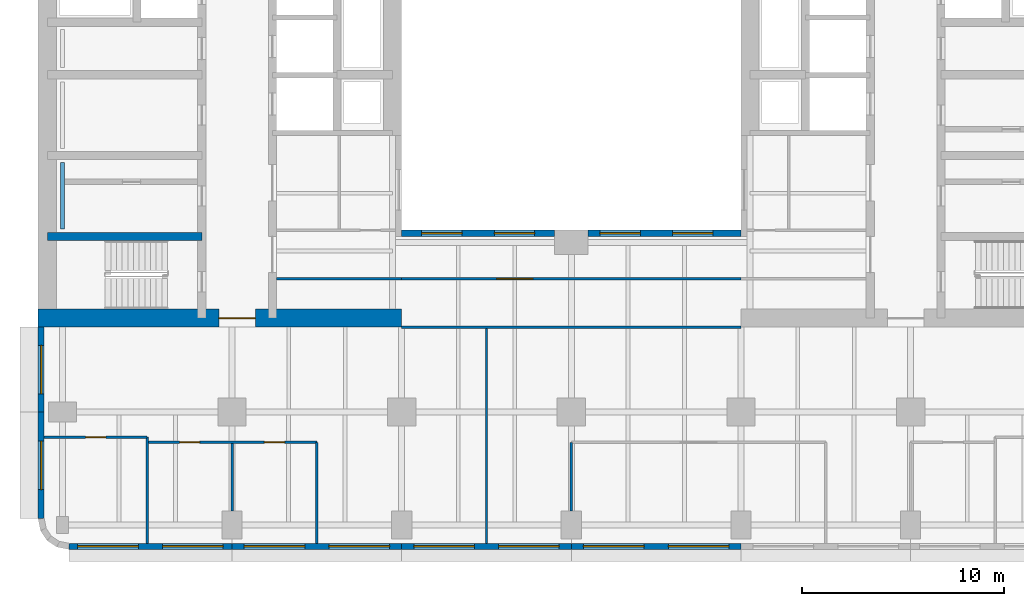
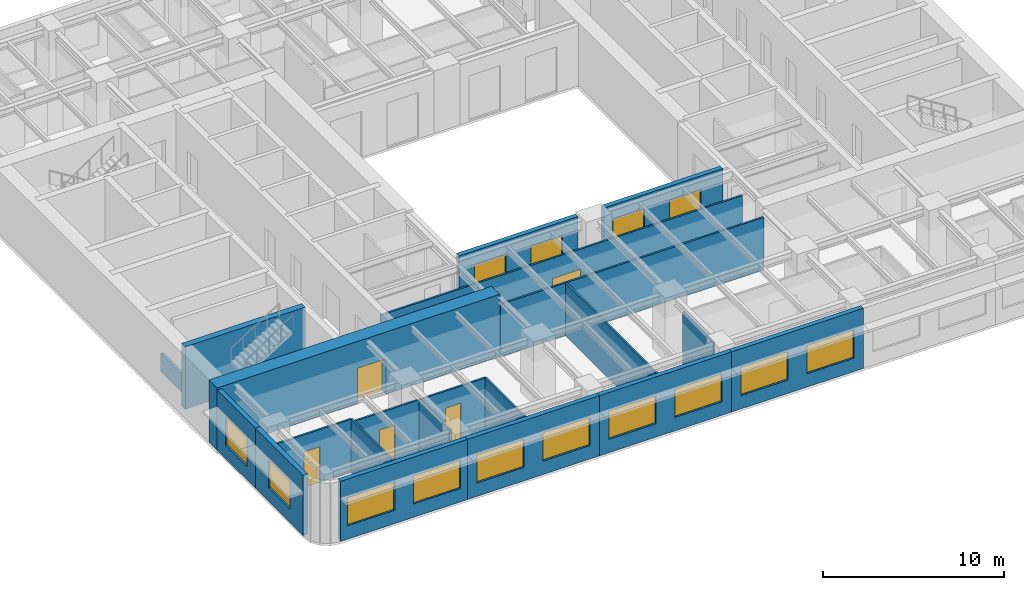
# One storey, part 3 of 11: 21 walls, 14 windows, 5 doors, 19 openings.
"""IFC4 building model written with IfcOpenShell, lengths in metres."""

from ifc_helpers import new_model, si_unit, direction, frame, frame_2d, origin, place, context, subcontext, project, spatial, rectangle, extrude, material, layer, layer_set, type_object, element, fill, save


model = new_model("IFC4")

# Units and contexts
model_context = context("Model", 3, precision=1e-05, world=origin(), true_north=direction((0.0, 1.0)))
body_context = subcontext(model_context, "Body", "Model", "MODEL_VIEW")
ifc_project = project(units=[si_unit("LENGTHUNIT", "METRE"), si_unit("AREAUNIT", "SQUARE_METRE"), si_unit("VOLUMEUNIT", "CUBIC_METRE"), si_unit("PLANEANGLEUNIT", "RADIAN"), si_unit("MASSUNIT", "GRAM", prefix="KILO")], contexts=[model_context])

# Site, building, storey
site_placement = place(None, origin())
site = spatial("IfcSite", under=ifc_project, at=site_placement, CompositionType="ELEMENT")
building_placement = place(site_placement, origin())
building = spatial("IfcBuilding", under=site, at=building_placement, Name="Claustro Exchange Tower", CompositionType="ELEMENT")
storey_placement = place(building_placement, frame((0.0, 0.0, 142.800048828125)))
storey = spatial("IfcBuildingStorey", under=building, at=storey_placement, Name="L32", CompositionType="ELEMENT", Elevation=142.800048828125)

# Wall, opening, door
ifc_material_1 = material(Name="Laminated glass in aluminium frame", Category="aluminium")
ifc_layer_1 = layer(ifc_material_1, 0.1201171875)
ifc_layer_set_1 = layer_set([ifc_layer_1], Name="Laminated glass in aluminium frame")
wall_type_1 = type_object("IfcWallType", Name="P2 120 glazed partition", PredefinedType="PARTITIONING", material=ifc_layer_set_1)
wall_1_placement = place(storey_placement, frame((-0.902099609375, 7.14990234375, 0.0), z_axis=(0.0, 0.0, 1.0), x_axis=(1.0, 0.0, 0.0)))
wall_1 = element("IfcWall", 1, at=wall_1_placement, inside=storey, type_object=wall_type_1, Name="Partition P2 L32", PredefinedType="PARTITIONING", context=body_context, shape_type="SweptSolid", body=[
    extrude(rectangle(XDim=5.10205078125, YDim=0.1201171875, at=frame_2d((2.551025390625, 0.0))), origin(), (0.0, 0.0, 1.0), 3.56005859375),
])
opening_1_placement = place(wall_1_placement, frame((2.052001953125, 0.0, 0.0)))
opening_1 = element("IfcOpeningElement", 2, at=opening_1_placement, cuts=wall_1, Name="Opening D7", PredefinedType="OPENING", context=body_context, shape_type="SweptSolid", body=[
    extrude(rectangle(XDim=1.0, YDim=2.39990234375, at=frame_2d((0.5, 1.199951171875))), frame((0.0, 0.070068359375, 0.0), z_axis=(0.0, -1.0, 0.0), x_axis=(1.0, 0.0, 0.0)), (0.0, 0.0, 1.0), 0.14013671875),
])
ifc_material_2 = material(Name="Glass door in aluminium frame", Category="aluminium")
door_type_1 = type_object("IfcDoorType", Name="D7 1000 x 2400 glazed door", OperationType="SINGLE_SWING_LEFT", PredefinedType="DOOR", material=ifc_material_2)
door_1_placement = place(opening_1_placement, frame((1.0, 0.0, 0.0), z_axis=(0.0, 0.0, 1.0), x_axis=(-1.0, 0.0, 0.0)))
door_1 = element("IfcDoor", 3, at=door_1_placement, inside=storey, type_object=door_type_1, Name="Door D7 L32", OperationType="SINGLE_SWING_LEFT", OverallHeight=2.39990234375, OverallWidth=1.0, PredefinedType="DOOR", context=body_context, shape_type="SweptSolid", body=[
    extrude(rectangle(XDim=1.0, YDim=2.39990234375, at=frame_2d((0.5, 1.199951171875))), frame((0.0, 0.02490234375, 0.0), z_axis=(0.0, -1.0, 0.0), x_axis=(1.0, 0.0, 0.0)), (0.0, 0.0, 1.0), 0.050048828125),
])
fill(opening_1, door_1)

# Wall, openings, doors
wall_2_placement = place(storey_placement, frame((4.258056640625, 6.89990234375, 0.0), z_axis=(0.0, 0.0, 1.0), x_axis=(1.0, 0.0, 0.0)))
wall_2 = element("IfcWall", 4, at=wall_2_placement, inside=storey, type_object=wall_type_1, Name="Partition P2 L32", PredefinedType="PARTITIONING", context=body_context, shape_type="SweptSolid", body=[
    extrude(rectangle(XDim=8.342041015625, YDim=0.1201171875, at=frame_2d((4.1708984375, 0.0))), origin(), (0.0, 0.0, 1.0), 3.550048828125),
])
opening_2_placement = place(wall_2_placement, frame((1.5419921875, 0.0, 0.0)))
opening_2 = element("IfcOpeningElement", 5, at=opening_2_placement, cuts=wall_2, Name="Opening D7", PredefinedType="OPENING", context=body_context, shape_type="SweptSolid", body=[
    extrude(rectangle(XDim=1.0, YDim=2.39990234375, at=frame_2d((0.5, 1.199951171875))), frame((0.0, 0.070068359375, 0.0), z_axis=(0.0, -1.0, 0.0), x_axis=(1.0, 0.0, 0.0)), (0.0, 0.0, 1.0), 0.14013671875),
])
opening_3_placement = place(wall_2_placement, frame((5.741943359375, 0.0, 0.0)))
opening_3 = element("IfcOpeningElement", 6, at=opening_3_placement, cuts=wall_2, Name="Opening D7", PredefinedType="OPENING", context=body_context, shape_type="SweptSolid", body=[
    extrude(rectangle(XDim=1.0, YDim=2.39990234375, at=frame_2d((0.5, 1.199951171875))), frame((0.0, 0.070068359375, 0.0), z_axis=(0.0, -1.0, 0.0), x_axis=(1.0, 0.0, 0.0)), (0.0, 0.0, 1.0), 0.14013671875),
])
door_2_placement = place(opening_2_placement, frame((1.0, 0.0, 0.0), z_axis=(0.0, 0.0, 1.0), x_axis=(-1.0, 0.0, 0.0)))
door_2 = element("IfcDoor", 7, at=door_2_placement, inside=storey, type_object=door_type_1, Name="Door D7 L32", OperationType="SINGLE_SWING_RIGHT", OverallHeight=2.39990234375, OverallWidth=1.0, PredefinedType="DOOR", context=body_context, shape_type="SweptSolid", body=[
    extrude(rectangle(XDim=1.0, YDim=2.39990234375, at=frame_2d((0.5, 1.199951171875))), frame((0.0, 0.02490234375, 0.0), z_axis=(0.0, -1.0, 0.0), x_axis=(1.0, 0.0, 0.0)), (0.0, 0.0, 1.0), 0.050048828125),
])
fill(opening_2, door_2)
door_3_placement = place(opening_3_placement, frame((1.0, 0.0, 0.0), z_axis=(0.0, 0.0, 1.0), x_axis=(-1.0, 0.0, 0.0)))
door_3 = element("IfcDoor", 8, at=door_3_placement, inside=storey, type_object=door_type_1, Name="Door D7 L32", OperationType="SINGLE_SWING_LEFT", OverallHeight=2.39990234375, OverallWidth=1.0, PredefinedType="DOOR", context=body_context, shape_type="SweptSolid", body=[
    extrude(rectangle(XDim=1.0, YDim=2.39990234375, at=frame_2d((0.5, 1.199951171875))), frame((0.0, 0.02490234375, 0.0), z_axis=(0.0, -1.0, 0.0), x_axis=(1.0, 0.0, 0.0)), (0.0, 0.0, 1.0), 0.050048828125),
])
fill(opening_3, door_3)

# Walls
wall_3_placement = place(storey_placement, frame((4.199951171875, 1.89794921875, 0.0), z_axis=(0.0, 0.0, 1.0), x_axis=(0.0, 1.0, 0.0)))
element("IfcWall", 9, at=wall_3_placement, inside=storey, type_object=wall_type_1, Name="Partition P2 L32", PredefinedType="PARTITIONING", context=body_context, shape_type="SweptSolid", body=[
    extrude(rectangle(XDim=5.251953125, YDim=0.1201171875, at=frame_2d((2.6259765625, 0.0))), origin(), (0.0, 0.0, 1.0), 3.56005859375),
])
wall_4_placement = place(storey_placement, frame((8.39990234375, 3.4990234375, 0.0), z_axis=(0.0, 0.0, 1.0), x_axis=(0.0, 1.0, 0.0)))
element("IfcWall", 10, at=wall_4_placement, inside=storey, type_object=wall_type_1, Name="Partition P2 L32", PredefinedType="PARTITIONING", context=body_context, shape_type="SweptSolid", body=[
    extrude(rectangle(XDim=3.343017578125, YDim=0.1201171875, at=frame_2d((1.67138671875, 0.0))), origin(), (0.0, 0.0, 1.0), 3.550048828125),
])
wall_5_placement = place(storey_placement, frame((12.60009765625, 1.89794921875, 0.0), z_axis=(0.0, 0.0, 1.0), x_axis=(0.0, 1.0, 0.0)))
element("IfcWall", 11, at=wall_5_placement, inside=storey, type_object=wall_type_1, Name="Partition P2 L32", PredefinedType="PARTITIONING", context=body_context, shape_type="SweptSolid", body=[
    extrude(rectangle(XDim=5.001953125, YDim=0.1201171875, at=frame_2d((2.5009765625, 0.0))), origin(), (0.0, 0.0, 1.0), 3.56005859375),
])
wall_6_placement = place(storey_placement, frame((25.199951171875, 3.4990234375, 0.0), z_axis=(0.0, 0.0, 1.0), x_axis=(0.0, 1.0, 0.0)))
element("IfcWall", 12, at=wall_6_placement, inside=storey, type_object=wall_type_1, Name="Partition P2 L32", PredefinedType="PARTITIONING", context=body_context, shape_type="SweptSolid", body=[
    extrude(rectangle(XDim=3.40087890625, YDim=0.1201171875, at=frame_2d((1.700439453125, 0.0))), origin(), (0.0, 0.0, 1.0), 3.550048828125),
])
wall_7_placement = place(storey_placement, frame((21.0, 1.89794921875, 0.0), z_axis=(0.0, 0.0, 1.0), x_axis=(0.0, 1.0, 0.0)))
element("IfcWall", 13, at=wall_7_placement, inside=storey, type_object=wall_type_1, Name="Partition P2 L32", PredefinedType="PARTITIONING", context=body_context, shape_type="SweptSolid", body=[
    extrude(rectangle(XDim=10.64404296875, YDim=0.1201171875, at=frame_2d((5.322021484375, 0.0))), origin(), (0.0, 0.0, 1.0), 3.550048828125),
])
wall_8_placement = place(storey_placement, frame((10.597900390625, 15.0, 0.0), z_axis=(0.0, 0.0, 1.0), x_axis=(1.0, 0.0, 0.0)))
element("IfcWall", 14, at=wall_8_placement, inside=storey, type_object=wall_type_1, Name="Partition P2 L32", PredefinedType="PARTITIONING", context=body_context, shape_type="SweptSolid", body=[
    extrude(rectangle(XDim=6.2041015625, YDim=0.1201171875, at=frame_2d((3.10205078125, 0.0))), origin(), (0.0, 0.0, 1.0), 3.550048828125),
])

# Wall, opening, door
wall_9_placement = place(storey_placement, frame((16.798095703125, 15.0, 0.0), z_axis=(0.0, 0.0, 1.0), x_axis=(1.0, 0.0, 0.0)))
wall_9 = element("IfcWall", 15, at=wall_9_placement, inside=storey, type_object=wall_type_1, Name="Partition P2 L32", PredefinedType="PARTITIONING", context=body_context, shape_type="SweptSolid", body=[
    extrude(rectangle(XDim=16.803955078125, YDim=0.1201171875, at=frame_2d((8.40185546875, 0.0))), origin(), (0.0, 0.0, 1.0), 3.550048828125),
])
opening_4_placement = place(wall_9_placement, frame((4.701904296875, 0.0, 0.0)))
opening_4 = element("IfcOpeningElement", 16, at=opening_4_placement, cuts=wall_9, Name="Opening D2", PredefinedType="OPENING", context=body_context, shape_type="SweptSolid", body=[
    extrude(rectangle(XDim=1.800048828125, YDim=2.199951171875, at=frame_2d((0.89990234375, 1.10009765625))), frame((0.0, 0.070068359375, 0.0), z_axis=(0.0, -1.0, 0.0), x_axis=(1.0, 0.0, 0.0)), (0.0, 0.0, 1.0), 0.14013671875),
])
ifc_material_3 = material(Name="Timber door, oak veneer", Category="wood")
door_type_2 = type_object("IfcDoorType", Name="D2 1800 x 2200 double door", OperationType="DOUBLE_DOOR_SINGLE_SWING", PredefinedType="DOOR", material=ifc_material_3)
door_4_placement = place(opening_4_placement, frame((1.800048828125, 0.0, 0.0), z_axis=(0.0, 0.0, 1.0), x_axis=(-1.0, 0.0, 0.0)))
door_4 = element("IfcDoor", 17, at=door_4_placement, inside=storey, type_object=door_type_2, Name="Double door D2 L32", OperationType="DOUBLE_DOOR_SINGLE_SWING", OverallHeight=2.199951171875, OverallWidth=1.800048828125, PredefinedType="DOOR", context=body_context, shape_type="SweptSolid", body=[
    extrude(rectangle(XDim=1.800048828125, YDim=2.199951171875, at=frame_2d((0.89990234375, 1.10009765625))), frame((0.0, 0.02490234375, 0.0), z_axis=(0.0, -1.0, 0.0), x_axis=(1.0, 0.0, 0.0)), (0.0, 0.0, 1.0), 0.050048828125),
])
fill(opening_4, door_4)

# Wall
wall_10_placement = place(storey_placement, frame((16.800048828125, 12.60009765625, 0.0), z_axis=(0.0, 0.0, 1.0), x_axis=(1.0, 0.0, 0.0)))
element("IfcWall", 18, at=wall_10_placement, inside=storey, type_object=wall_type_1, Name="Partition P2 L32", PredefinedType="PARTITIONING", context=body_context, shape_type="SweptSolid", body=[
    extrude(rectangle(XDim=16.800048828125, YDim=0.1201171875, at=frame_2d((8.39990234375, 0.0))), origin(), (0.0, 0.0, 1.0), 3.550048828125),
])

# Wall, openings, windows
ifc_material_4 = material(Name="Concrete HA-40 (C40/50), precast, white cement, acid-etched", Category="concrete")
ifc_layer_2 = layer(ifc_material_4, 0.300048828125)
ifc_layer_set_2 = layer_set([ifc_layer_2], Name="Concrete HA-40 (C40/50), precast, white cement, acid-etched")
wall_type_2 = type_object("IfcWallType", Name="PC1 300 precast concrete pier panel", PredefinedType="SOLIDWALL", material=ifc_layer_set_2)
wall_11_placement = place(storey_placement, frame((33.60009765625, 1.75, 0.0), z_axis=(0.0, 0.0, 1.0), x_axis=(-1.0, 0.0, 0.0)))
wall_11 = element("IfcWall", 19, at=wall_11_placement, inside=storey, type_object=wall_type_2, Name="Precast pier panel PC1 L32", PredefinedType="SOLIDWALL", context=body_context, shape_type="SweptSolid", body=[
    extrude(rectangle(XDim=8.400146484375, YDim=0.300048828125, at=frame_2d((4.2001953125, 0.0))), origin(), (0.0, 0.0, 1.0), 4.050048828125),
])
opening_5_placement = place(wall_11_placement, frame((0.60009765625, 0.0, 0.89990234375)))
opening_5 = element("IfcOpeningElement", 20, at=opening_5_placement, cuts=wall_11, Name="Opening W1", PredefinedType="OPENING", context=body_context, shape_type="SweptSolid", body=[
    extrude(rectangle(XDim=3.0, YDim=1.89990234375, at=frame_2d((1.5, 0.949951171875))), frame((0.0, 0.159912109375, 0.0), z_axis=(0.0, -1.0, 0.0), x_axis=(1.0, 0.0, 0.0)), (0.0, 0.0, 1.0), 0.320068359375),
])
opening_6_placement = place(wall_11_placement, frame((4.800048828125, 0.0, 0.89990234375)))
opening_6 = element("IfcOpeningElement", 21, at=opening_6_placement, cuts=wall_11, Name="Opening W1", PredefinedType="OPENING", context=body_context, shape_type="SweptSolid", body=[
    extrude(rectangle(XDim=3.0, YDim=1.89990234375, at=frame_2d((1.5, 0.949951171875))), frame((0.0, 0.159912109375, 0.0), z_axis=(0.0, -1.0, 0.0), x_axis=(1.0, 0.0, 0.0)), (0.0, 0.0, 1.0), 0.320068359375),
])
ifc_material_5 = material(Name="Aluminium frame, clear double glazing", Category="aluminium")
window_type_1 = type_object("IfcWindowType", Name="W1 3000 x 1900 window", PartitioningType="SINGLE_PANEL", PredefinedType="WINDOW", material=ifc_material_5)
window_1_placement = place(opening_5_placement, origin())
window_1 = element("IfcWindow", 22, at=window_1_placement, inside=storey, type_object=window_type_1, Name="Window W1 L32", OverallHeight=1.89990234375, OverallWidth=3.0, PartitioningType="SINGLE_PANEL", PredefinedType="WINDOW", context=body_context, shape_type="SweptSolid", body=[
    extrude(rectangle(XDim=3.0, YDim=1.89990234375, at=frame_2d((1.5, 0.949951171875))), frame((0.0, 0.030029296875, 0.0), z_axis=(0.0, -1.0, 0.0), x_axis=(1.0, 0.0, 0.0)), (0.0, 0.0, 1.0), 0.06005859375),
])
fill(opening_5, window_1)
window_2_placement = place(opening_6_placement, origin())
window_2 = element("IfcWindow", 23, at=window_2_placement, inside=storey, type_object=window_type_1, Name="Window W1 L32", OverallHeight=1.89990234375, OverallWidth=3.0, PartitioningType="SINGLE_PANEL", PredefinedType="WINDOW", context=body_context, shape_type="SweptSolid", body=[
    extrude(rectangle(XDim=3.0, YDim=1.89990234375, at=frame_2d((1.5, 0.949951171875))), frame((0.0, 0.030029296875, 0.0), z_axis=(0.0, -1.0, 0.0), x_axis=(1.0, 0.0, 0.0)), (0.0, 0.0, 1.0), 0.06005859375),
])
fill(opening_6, window_2)

wall_12_placement = place(storey_placement, frame((25.199951171875, 1.75, 0.0), z_axis=(0.0, 0.0, 1.0), x_axis=(-1.0, 0.0, 0.0)))
wall_12 = element("IfcWall", 24, at=wall_12_placement, inside=storey, type_object=wall_type_2, Name="Precast pier panel PC1 L32", PredefinedType="SOLIDWALL", context=body_context, shape_type="SweptSolid", body=[
    extrude(rectangle(XDim=8.39990234375, YDim=0.300048828125, at=frame_2d((4.199951171875, 0.0))), origin(), (0.0, 0.0, 1.0), 4.050048828125),
])
opening_7_placement = place(wall_12_placement, frame((0.60009765625, 0.0, 0.89990234375)))
opening_7 = element("IfcOpeningElement", 25, at=opening_7_placement, cuts=wall_12, Name="Opening W1", PredefinedType="OPENING", context=body_context, shape_type="SweptSolid", body=[
    extrude(rectangle(XDim=3.0, YDim=1.89990234375, at=frame_2d((1.5, 0.949951171875))), frame((0.0, 0.159912109375, 0.0), z_axis=(0.0, -1.0, 0.0), x_axis=(1.0, 0.0, 0.0)), (0.0, 0.0, 1.0), 0.320068359375),
])
opening_8_placement = place(wall_12_placement, frame((4.800048828125, 0.0, 0.89990234375)))
opening_8 = element("IfcOpeningElement", 26, at=opening_8_placement, cuts=wall_12, Name="Opening W1", PredefinedType="OPENING", context=body_context, shape_type="SweptSolid", body=[
    extrude(rectangle(XDim=3.0, YDim=1.89990234375, at=frame_2d((1.5, 0.949951171875))), frame((0.0, 0.159912109375, 0.0), z_axis=(0.0, -1.0, 0.0), x_axis=(1.0, 0.0, 0.0)), (0.0, 0.0, 1.0), 0.320068359375),
])
window_3_placement = place(opening_7_placement, origin())
window_3 = element("IfcWindow", 27, at=window_3_placement, inside=storey, type_object=window_type_1, Name="Window W1 L32", OverallHeight=1.89990234375, OverallWidth=3.0, PartitioningType="SINGLE_PANEL", PredefinedType="WINDOW", context=body_context, shape_type="SweptSolid", body=[
    extrude(rectangle(XDim=3.0, YDim=1.89990234375, at=frame_2d((1.5, 0.949951171875))), frame((0.0, 0.030029296875, 0.0), z_axis=(0.0, -1.0, 0.0), x_axis=(1.0, 0.0, 0.0)), (0.0, 0.0, 1.0), 0.06005859375),
])
fill(opening_7, window_3)
window_4_placement = place(opening_8_placement, origin())
window_4 = element("IfcWindow", 28, at=window_4_placement, inside=storey, type_object=window_type_1, Name="Window W1 L32", OverallHeight=1.89990234375, OverallWidth=3.0, PartitioningType="SINGLE_PANEL", PredefinedType="WINDOW", context=body_context, shape_type="SweptSolid", body=[
    extrude(rectangle(XDim=3.0, YDim=1.89990234375, at=frame_2d((1.5, 0.949951171875))), frame((0.0, 0.030029296875, 0.0), z_axis=(0.0, -1.0, 0.0), x_axis=(1.0, 0.0, 0.0)), (0.0, 0.0, 1.0), 0.06005859375),
])
fill(opening_8, window_4)

wall_13_placement = place(storey_placement, frame((16.800048828125, 1.75, 0.0), z_axis=(0.0, 0.0, 1.0), x_axis=(-1.0, 0.0, 0.0)))
wall_13 = element("IfcWall", 29, at=wall_13_placement, inside=storey, type_object=wall_type_2, Name="Precast pier panel PC1 L32", PredefinedType="SOLIDWALL", context=body_context, shape_type="SweptSolid", body=[
    extrude(rectangle(XDim=8.400146484375, YDim=0.300048828125, at=frame_2d((4.2001953125, 0.0))), origin(), (0.0, 0.0, 1.0), 4.050048828125),
])
opening_9_placement = place(wall_13_placement, frame((0.60009765625, 0.0, 0.89990234375)))
opening_9 = element("IfcOpeningElement", 30, at=opening_9_placement, cuts=wall_13, Name="Opening W1", PredefinedType="OPENING", context=body_context, shape_type="SweptSolid", body=[
    extrude(rectangle(XDim=3.0, YDim=1.89990234375, at=frame_2d((1.5, 0.949951171875))), frame((0.0, 0.159912109375, 0.0), z_axis=(0.0, -1.0, 0.0), x_axis=(1.0, 0.0, 0.0)), (0.0, 0.0, 1.0), 0.320068359375),
])
opening_10_placement = place(wall_13_placement, frame((4.800048828125, 0.0, 0.89990234375)))
opening_10 = element("IfcOpeningElement", 31, at=opening_10_placement, cuts=wall_13, Name="Opening W1", PredefinedType="OPENING", context=body_context, shape_type="SweptSolid", body=[
    extrude(rectangle(XDim=3.0, YDim=1.89990234375, at=frame_2d((1.5, 0.949951171875))), frame((0.0, 0.159912109375, 0.0), z_axis=(0.0, -1.0, 0.0), x_axis=(1.0, 0.0, 0.0)), (0.0, 0.0, 1.0), 0.320068359375),
])
window_5_placement = place(opening_9_placement, origin())
window_5 = element("IfcWindow", 32, at=window_5_placement, inside=storey, type_object=window_type_1, Name="Window W1 L32", OverallHeight=1.89990234375, OverallWidth=3.0, PartitioningType="SINGLE_PANEL", PredefinedType="WINDOW", context=body_context, shape_type="SweptSolid", body=[
    extrude(rectangle(XDim=3.0, YDim=1.89990234375, at=frame_2d((1.5, 0.949951171875))), frame((0.0, 0.030029296875, 0.0), z_axis=(0.0, -1.0, 0.0), x_axis=(1.0, 0.0, 0.0)), (0.0, 0.0, 1.0), 0.06005859375),
])
fill(opening_9, window_5)
window_6_placement = place(opening_10_placement, origin())
window_6 = element("IfcWindow", 33, at=window_6_placement, inside=storey, type_object=window_type_1, Name="Window W1 L32", OverallHeight=1.89990234375, OverallWidth=3.0, PartitioningType="SINGLE_PANEL", PredefinedType="WINDOW", context=body_context, shape_type="SweptSolid", body=[
    extrude(rectangle(XDim=3.0, YDim=1.89990234375, at=frame_2d((1.5, 0.949951171875))), frame((0.0, 0.030029296875, 0.0), z_axis=(0.0, -1.0, 0.0), x_axis=(1.0, 0.0, 0.0)), (0.0, 0.0, 1.0), 0.06005859375),
])
fill(opening_10, window_6)

wall_14_placement = place(storey_placement, frame((8.39990234375, 1.75, 0.0), z_axis=(0.0, 0.0, 1.0), x_axis=(-1.0, 0.0, 0.0)))
wall_14 = element("IfcWall", 34, at=wall_14_placement, inside=storey, type_object=wall_type_2, Name="Precast pier panel PC1 L32", PredefinedType="SOLIDWALL", context=body_context, shape_type="SweptSolid", body=[
    extrude(rectangle(XDim=8.085205078125, YDim=0.300048828125, at=frame_2d((4.04248046875, 0.0))), origin(), (0.0, 0.0, 1.0), 4.050048828125),
])
opening_11_placement = place(wall_14_placement, frame((0.442626953125, 0.0, 0.89990234375)))
opening_11 = element("IfcOpeningElement", 35, at=opening_11_placement, cuts=wall_14, Name="Opening W1", PredefinedType="OPENING", context=body_context, shape_type="SweptSolid", body=[
    extrude(rectangle(XDim=3.0, YDim=1.89990234375, at=frame_2d((1.5, 0.949951171875))), frame((0.0, 0.159912109375, 0.0), z_axis=(0.0, -1.0, 0.0), x_axis=(1.0, 0.0, 0.0)), (0.0, 0.0, 1.0), 0.320068359375),
])
opening_12_placement = place(wall_14_placement, frame((4.642578125, 0.0, 0.89990234375)))
opening_12 = element("IfcOpeningElement", 36, at=opening_12_placement, cuts=wall_14, Name="Opening W1", PredefinedType="OPENING", context=body_context, shape_type="SweptSolid", body=[
    extrude(rectangle(XDim=3.0, YDim=1.89990234375, at=frame_2d((1.5, 0.949951171875))), frame((0.0, 0.159912109375, 0.0), z_axis=(0.0, -1.0, 0.0), x_axis=(1.0, 0.0, 0.0)), (0.0, 0.0, 1.0), 0.320068359375),
])
window_7_placement = place(opening_11_placement, origin())
window_7 = element("IfcWindow", 37, at=window_7_placement, inside=storey, type_object=window_type_1, Name="Window W1 L32", OverallHeight=1.89990234375, OverallWidth=3.0, PartitioningType="SINGLE_PANEL", PredefinedType="WINDOW", context=body_context, shape_type="SweptSolid", body=[
    extrude(rectangle(XDim=3.0, YDim=1.89990234375, at=frame_2d((1.5, 0.949951171875))), frame((0.0, 0.030029296875, 0.0), z_axis=(0.0, -1.0, 0.0), x_axis=(1.0, 0.0, 0.0)), (0.0, 0.0, 1.0), 0.06005859375),
])
fill(opening_11, window_7)
window_8_placement = place(opening_12_placement, origin())
window_8 = element("IfcWindow", 38, at=window_8_placement, inside=storey, type_object=window_type_1, Name="Window W1 L32", OverallHeight=1.89990234375, OverallWidth=3.0, PartitioningType="SINGLE_PANEL", PredefinedType="WINDOW", context=body_context, shape_type="SweptSolid", body=[
    extrude(rectangle(XDim=3.0, YDim=1.89990234375, at=frame_2d((1.5, 0.949951171875))), frame((0.0, 0.030029296875, 0.0), z_axis=(0.0, -1.0, 0.0), x_axis=(1.0, 0.0, 0.0)), (0.0, 0.0, 1.0), 0.06005859375),
])
fill(opening_12, window_8)

# Wall, opening, window
wall_15_placement = place(storey_placement, frame((-1.050048828125, 3.11474609375, 0.0), z_axis=(0.0, 0.0, 1.0), x_axis=(0.0, 1.0, 0.0)))
wall_15 = element("IfcWall", 39, at=wall_15_placement, inside=storey, type_object=wall_type_2, Name="Precast pier panel PC1 L32", PredefinedType="SOLIDWALL", context=body_context, shape_type="SweptSolid", body=[
    extrude(rectangle(XDim=5.28515625, YDim=0.300048828125, at=frame_2d((2.642578125, 0.0))), origin(), (0.0, 0.0, 1.0), 4.050048828125),
])
opening_13_placement = place(wall_15_placement, frame((1.442626953125, 0.0, 0.89990234375)))
opening_13 = element("IfcOpeningElement", 40, at=opening_13_placement, cuts=wall_15, Name="Opening W2", PredefinedType="OPENING", context=body_context, shape_type="SweptSolid", body=[
    extrude(rectangle(XDim=2.39990234375, YDim=1.89990234375, at=frame_2d((1.199951171875, 0.949951171875))), frame((0.0, 0.159912109375, 0.0), z_axis=(0.0, -1.0, 0.0), x_axis=(1.0, 0.0, 0.0)), (0.0, 0.0, 1.0), 0.320068359375),
])
ifc_material_6 = material(Name="Aluminium frame, clear double glazing", Category="aluminium")
window_type_2 = type_object("IfcWindowType", Name="W2 2400 x 1900 window", PartitioningType="SINGLE_PANEL", PredefinedType="WINDOW", material=ifc_material_6)
window_9_placement = place(opening_13_placement, origin())
window_9 = element("IfcWindow", 41, at=window_9_placement, inside=storey, type_object=window_type_2, Name="Window W2 L32", OverallHeight=1.89990234375, OverallWidth=2.39990234375, PartitioningType="SINGLE_PANEL", PredefinedType="WINDOW", context=body_context, shape_type="SweptSolid", body=[
    extrude(rectangle(XDim=2.39990234375, YDim=1.89990234375, at=frame_2d((1.199951171875, 0.949951171875))), frame((0.0, 0.030029296875, 0.0), z_axis=(0.0, -1.0, 0.0), x_axis=(1.0, 0.0, 0.0)), (0.0, 0.0, 1.0), 0.06005859375),
])
fill(opening_13, window_9)

wall_16_placement = place(storey_placement, frame((-1.050048828125, 8.39990234375, 0.0), z_axis=(0.0, 0.0, 1.0), x_axis=(0.0, 1.0, 0.0)))
wall_16 = element("IfcWall", 42, at=wall_16_placement, inside=storey, type_object=wall_type_2, Name="Precast pier panel PC1 L32", PredefinedType="SOLIDWALL", context=body_context, shape_type="SweptSolid", body=[
    extrude(rectangle(XDim=4.2001953125, YDim=0.300048828125, at=frame_2d((2.10009765625, 0.0))), origin(), (0.0, 0.0, 1.0), 4.050048828125),
])
opening_14_placement = place(wall_16_placement, frame((0.89990234375, 0.0, 0.89990234375)))
opening_14 = element("IfcOpeningElement", 43, at=opening_14_placement, cuts=wall_16, Name="Opening W2", PredefinedType="OPENING", context=body_context, shape_type="SweptSolid", body=[
    extrude(rectangle(XDim=2.39990234375, YDim=1.89990234375, at=frame_2d((1.199951171875, 0.949951171875))), frame((0.0, 0.159912109375, 0.0), z_axis=(0.0, -1.0, 0.0), x_axis=(1.0, 0.0, 0.0)), (0.0, 0.0, 1.0), 0.320068359375),
])
window_10_placement = place(opening_14_placement, origin())
window_10 = element("IfcWindow", 44, at=window_10_placement, inside=storey, type_object=window_type_2, Name="Window W2 L32", OverallHeight=1.89990234375, OverallWidth=2.39990234375, PartitioningType="SINGLE_PANEL", PredefinedType="WINDOW", context=body_context, shape_type="SweptSolid", body=[
    extrude(rectangle(XDim=2.39990234375, YDim=1.89990234375, at=frame_2d((1.199951171875, 0.949951171875))), frame((0.0, 0.030029296875, 0.0), z_axis=(0.0, -1.0, 0.0), x_axis=(1.0, 0.0, 0.0)), (0.0, 0.0, 1.0), 0.06005859375),
])
fill(opening_14, window_10)

# Wall, openings, windows
wall_17_placement = place(storey_placement, frame((16.800048828125, 17.25, 0.0), z_axis=(0.0, 0.0, 1.0), x_axis=(1.0, 0.0, 0.0)))
wall_17 = element("IfcWall", 45, at=wall_17_placement, inside=storey, type_object=wall_type_2, Name="Precast pier panel PC1 L32", PredefinedType="SOLIDWALL", context=body_context, shape_type="SweptSolid", body=[
    extrude(rectangle(XDim=7.574951171875, YDim=0.300048828125, at=frame_2d((3.78759765625, 0.0))), origin(), (0.0, 0.0, 1.0), 4.050048828125),
])
opening_15_placement = place(wall_17_placement, frame((0.987548828125, 0.0, 0.10009765625)))
opening_15 = element("IfcOpeningElement", 46, at=opening_15_placement, cuts=wall_17, Name="Opening W-A", PredefinedType="OPENING", context=body_context, shape_type="SweptSolid", body=[
    extrude(rectangle(XDim=2.0, YDim=3.0, at=frame_2d((1.0, 1.5))), frame((0.0, 0.159912109375, 0.0), z_axis=(0.0, -1.0, 0.0), x_axis=(1.0, 0.0, 0.0)), (0.0, 0.0, 1.0), 0.320068359375),
])
opening_16_placement = place(wall_17_placement, frame((4.58740234375, 0.0, 0.10009765625)))
opening_16 = element("IfcOpeningElement", 47, at=opening_16_placement, cuts=wall_17, Name="Opening W-A", PredefinedType="OPENING", context=body_context, shape_type="SweptSolid", body=[
    extrude(rectangle(XDim=2.0, YDim=3.0, at=frame_2d((1.0, 1.5))), frame((0.0, 0.159912109375, 0.0), z_axis=(0.0, -1.0, 0.0), x_axis=(1.0, 0.0, 0.0)), (0.0, 0.0, 1.0), 0.320068359375),
])
ifc_material_7 = material(Name="Aluminium frame, clear double glazing", Category="aluminium")
window_type_3 = type_object("IfcWindowType", Name="W-A 2000 x 3000 arcade window", PartitioningType="SINGLE_PANEL", PredefinedType="WINDOW", material=ifc_material_7)
window_11_placement = place(opening_15_placement, origin())
window_11 = element("IfcWindow", 48, at=window_11_placement, inside=storey, type_object=window_type_3, Name="Window W-A L32", OverallHeight=3.0, OverallWidth=2.0, PartitioningType="SINGLE_PANEL", PredefinedType="WINDOW", context=body_context, shape_type="SweptSolid", body=[
    extrude(rectangle(XDim=2.0, YDim=3.0, at=frame_2d((1.0, 1.5))), frame((0.0, 0.030029296875, 0.0), z_axis=(0.0, -1.0, 0.0), x_axis=(1.0, 0.0, 0.0)), (0.0, 0.0, 1.0), 0.06005859375),
])
fill(opening_15, window_11)
window_12_placement = place(opening_16_placement, origin())
window_12 = element("IfcWindow", 49, at=window_12_placement, inside=storey, type_object=window_type_3, Name="Window W-A L32", OverallHeight=3.0, OverallWidth=2.0, PartitioningType="SINGLE_PANEL", PredefinedType="WINDOW", context=body_context, shape_type="SweptSolid", body=[
    extrude(rectangle(XDim=2.0, YDim=3.0, at=frame_2d((1.0, 1.5))), frame((0.0, 0.030029296875, 0.0), z_axis=(0.0, -1.0, 0.0), x_axis=(1.0, 0.0, 0.0)), (0.0, 0.0, 1.0), 0.06005859375),
])
fill(opening_16, window_12)

wall_18_placement = place(storey_placement, frame((26.02490234375, 17.25, 0.0), z_axis=(0.0, 0.0, 1.0), x_axis=(1.0, 0.0, 0.0)))
wall_18 = element("IfcWall", 50, at=wall_18_placement, inside=storey, type_object=wall_type_2, Name="Precast pier panel PC1 L32", PredefinedType="SOLIDWALL", context=body_context, shape_type="SweptSolid", body=[
    extrude(rectangle(XDim=7.5751953125, YDim=0.300048828125, at=frame_2d((3.78759765625, 0.0))), origin(), (0.0, 0.0, 1.0), 4.050048828125),
])
opening_17_placement = place(wall_18_placement, frame((0.58740234375, 0.0, 0.10009765625)))
opening_17 = element("IfcOpeningElement", 51, at=opening_17_placement, cuts=wall_18, Name="Opening W-A", PredefinedType="OPENING", context=body_context, shape_type="SweptSolid", body=[
    extrude(rectangle(XDim=2.0, YDim=3.0, at=frame_2d((1.0, 1.5))), frame((0.0, 0.159912109375, 0.0), z_axis=(0.0, -1.0, 0.0), x_axis=(1.0, 0.0, 0.0)), (0.0, 0.0, 1.0), 0.320068359375),
])
opening_18_placement = place(wall_18_placement, frame((4.1875, 0.0, 0.10009765625)))
opening_18 = element("IfcOpeningElement", 52, at=opening_18_placement, cuts=wall_18, Name="Opening W-A", PredefinedType="OPENING", context=body_context, shape_type="SweptSolid", body=[
    extrude(rectangle(XDim=2.0, YDim=3.0, at=frame_2d((1.0, 1.5))), frame((0.0, 0.159912109375, 0.0), z_axis=(0.0, -1.0, 0.0), x_axis=(1.0, 0.0, 0.0)), (0.0, 0.0, 1.0), 0.320068359375),
])
window_13_placement = place(opening_17_placement, origin())
window_13 = element("IfcWindow", 53, at=window_13_placement, inside=storey, type_object=window_type_3, Name="Window W-A L32", OverallHeight=3.0, OverallWidth=2.0, PartitioningType="SINGLE_PANEL", PredefinedType="WINDOW", context=body_context, shape_type="SweptSolid", body=[
    extrude(rectangle(XDim=2.0, YDim=3.0, at=frame_2d((1.0, 1.5))), frame((0.0, 0.030029296875, 0.0), z_axis=(0.0, -1.0, 0.0), x_axis=(1.0, 0.0, 0.0)), (0.0, 0.0, 1.0), 0.06005859375),
])
fill(opening_17, window_13)
window_14_placement = place(opening_18_placement, origin())
window_14 = element("IfcWindow", 54, at=window_14_placement, inside=storey, type_object=window_type_3, Name="Window W-A L32", OverallHeight=3.0, OverallWidth=2.0, PartitioningType="SINGLE_PANEL", PredefinedType="WINDOW", context=body_context, shape_type="SweptSolid", body=[
    extrude(rectangle(XDim=2.0, YDim=3.0, at=frame_2d((1.0, 1.5))), frame((0.0, 0.030029296875, 0.0), z_axis=(0.0, -1.0, 0.0), x_axis=(1.0, 0.0, 0.0)), (0.0, 0.0, 1.0), 0.06005859375),
])
fill(opening_18, window_14)

# Wall
ifc_material_8 = material(Name="Gypsum board on steel studs, tiled", Category="steel")
ifc_layer_3 = layer(ifc_material_8, 0.199951171875)
ifc_layer_set_3 = layer_set([ifc_layer_3], Name="Gypsum board on steel studs, tiled")
wall_type_3 = type_object("IfcWallType", Name="PW1 200 WC duct wall", PredefinedType="PLUMBINGWALL", material=ifc_layer_set_3)
wall_19_placement = place(storey_placement, frame((0.0, 17.449951171875, 0.0), z_axis=(0.0, 0.0, 1.0), x_axis=(0.0, 1.0, 0.0)))
element("IfcWall", 55, at=wall_19_placement, inside=storey, type_object=wall_type_3, Name="WC duct wall PW1 L32", PredefinedType="PLUMBINGWALL", context=body_context, shape_type="SweptSolid", body=[
    extrude(rectangle(XDim=3.300048828125, YDim=0.199951171875, at=frame_2d((1.64990234375, 0.0))), origin(), (0.0, 0.0, 1.0), 1.199951171875),
])

# Wall, opening, door
ifc_material_9 = material(Name="Concrete HA-70 (C70/85)", Category="concrete")
ifc_layer_4 = layer(ifc_material_9, 0.89990234375)
ifc_layer_set_4 = layer_set([ifc_layer_4], Name="Concrete HA-70 (C70/85)")
wall_type_4 = type_object("IfcWallType", Name="SW1 900 core shear wall", PredefinedType="SHEAR", material=ifc_layer_set_4)
wall_20_placement = place(storey_placement, frame((-1.199951171875, 13.050048828125, 0.0), z_axis=(0.0, 0.0, 1.0), x_axis=(1.0, 0.0, 0.0)))
wall_20 = element("IfcWall", 56, at=wall_20_placement, inside=storey, type_object=wall_type_4, Name="Core wall SW1 W core S face L32", PredefinedType="SHEAR", context=body_context, shape_type="SweptSolid", body=[
    extrude(rectangle(XDim=18.0, YDim=0.89990234375, at=frame_2d((9.0, 0.0))), origin(), (0.0, 0.0, 1.0), 4.199951171875),
])
opening_19_placement = place(wall_20_placement, frame((8.949951171875, 0.0, 0.0)))
opening_19 = element("IfcOpeningElement", 57, at=opening_19_placement, cuts=wall_20, Name="Opening D3", PredefinedType="OPENING", context=body_context, shape_type="SweptSolid", body=[
    extrude(rectangle(XDim=1.800048828125, YDim=2.39990234375, at=frame_2d((0.89990234375, 1.199951171875))), frame((0.0, 0.4599609375, 0.0), z_axis=(0.0, -1.0, 0.0), x_axis=(1.0, 0.0, 0.0)), (0.0, 0.0, 1.0), 0.919921875),
])
ifc_material_10 = material(Name="Steel fire door, painted", Category="steel")
door_type_3 = type_object("IfcDoorType", Name="D3 1800 x 2400 fire-rated lobby double door", OperationType="DOUBLE_DOOR_SINGLE_SWING", PredefinedType="DOOR", material=ifc_material_10)
door_5_placement = place(opening_19_placement, frame((1.800048828125, 0.0, 0.0), z_axis=(0.0, 0.0, 1.0), x_axis=(-1.0, 0.0, 0.0)))
door_5 = element("IfcDoor", 58, at=door_5_placement, inside=storey, type_object=door_type_3, Name="Lift lobby door D3 L32", OperationType="DOUBLE_DOOR_SINGLE_SWING", OverallHeight=2.39990234375, OverallWidth=1.800048828125, PredefinedType="DOOR", context=body_context, shape_type="SweptSolid", body=[
    extrude(rectangle(XDim=1.800048828125, YDim=2.39990234375, at=frame_2d((0.89990234375, 1.199951171875))), frame((0.0, 0.02490234375, 0.0), z_axis=(0.0, -1.0, 0.0), x_axis=(1.0, 0.0, 0.0)), (0.0, 0.0, 1.0), 0.050048828125),
])
fill(opening_19, door_5)

# Wall
ifc_material_11 = material(Name="Concrete HA-50 (C50/60)", Category="concrete")
ifc_layer_5 = layer(ifc_material_11, 0.39990234375)
ifc_layer_set_5 = layer_set([ifc_layer_5], Name="Concrete HA-50 (C50/60)")
wall_type_5 = type_object("IfcWallType", Name="SW4 400 internal core wall", PredefinedType="SHEAR", material=ifc_layer_set_5)
wall_21_placement = place(storey_placement, frame((-0.75, 17.10009765625, 0.0), z_axis=(0.0, 0.0, 1.0), x_axis=(1.0, 0.0, 0.0)))
element("IfcWall", 59, at=wall_21_placement, inside=storey, type_object=wall_type_5, Name="Internal core wall SW4 W core L32", PredefinedType="SHEAR", context=body_context, shape_type="SweptSolid", body=[
    extrude(rectangle(XDim=7.64990234375, YDim=0.39990234375, at=frame_2d((3.824951171875, 0.0))), origin(), (0.0, 0.0, 1.0), 4.199951171875),
])

save(model, "model.ifc")
